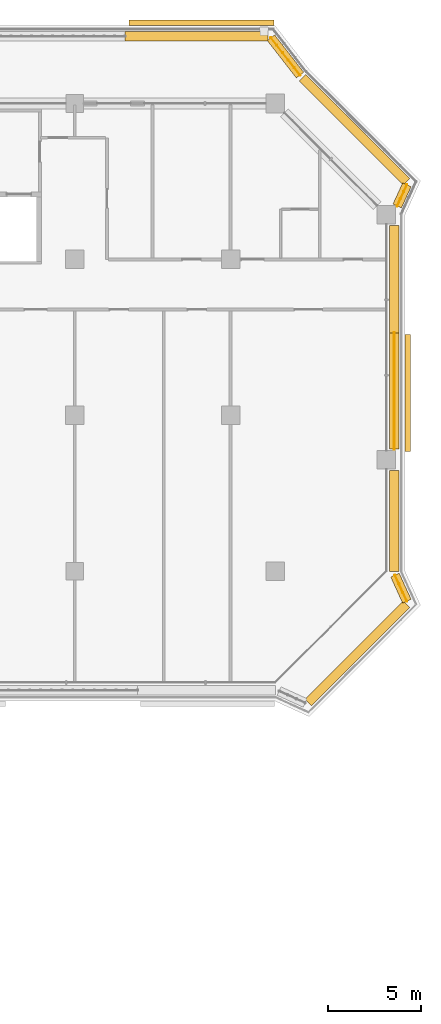
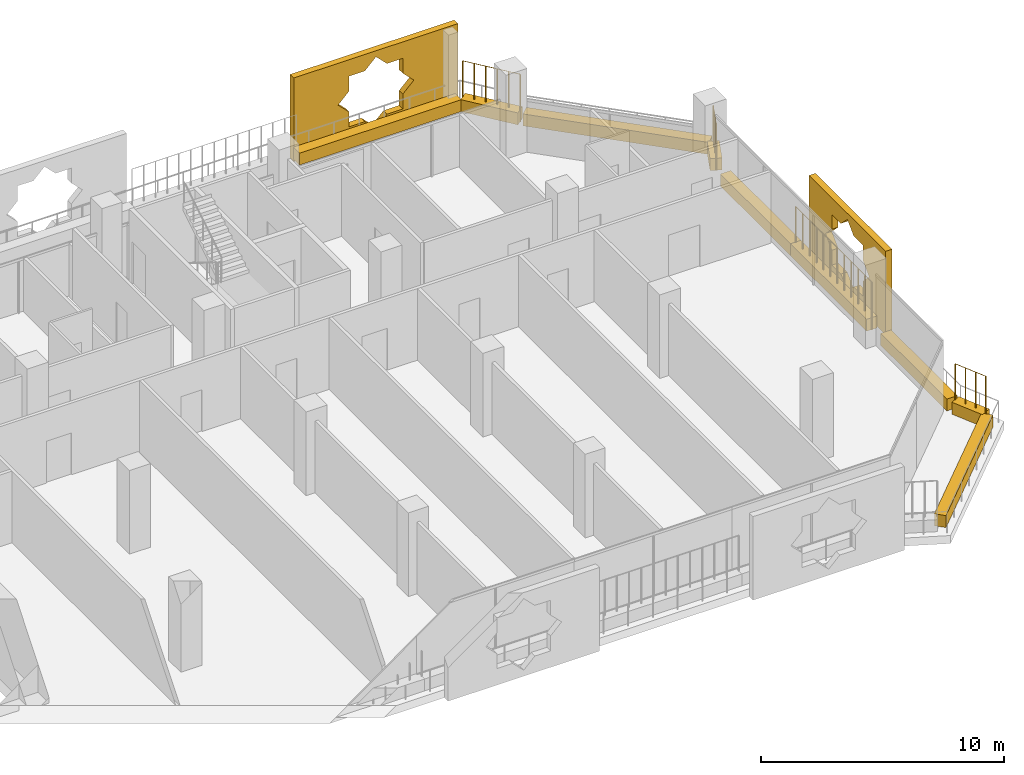
# One storey, part 21 of 21: 11 coverings, 4 railings.
"""IFC4 building model written with IfcOpenShell, lengths in metres."""

from ifc_helpers import new_model, si_unit, direction, frame, origin, origin_2d, place, context, subcontext, project, spatial, polyline, rectangle, circle, outline, extrude, material, material_profile, profile_set, type_object, element, save


model = new_model("IFC4")

# Units and contexts
model_context = context("Model", 3, precision=1e-05, world=origin(), true_north=direction((0.0, 1.0)))
body_context = subcontext(model_context, "Body", "Model", "MODEL_VIEW")
ifc_project = project(units=[si_unit("LENGTHUNIT", "METRE"), si_unit("AREAUNIT", "SQUARE_METRE"), si_unit("VOLUMEUNIT", "CUBIC_METRE"), si_unit("PLANEANGLEUNIT", "RADIAN"), si_unit("MASSUNIT", "GRAM", prefix="KILO")], contexts=[model_context])

# Site, building, storey
site_placement = place(None, origin())
site = spatial("IfcSite", under=ifc_project, at=site_placement, CompositionType="ELEMENT")
building_placement = place(site_placement, origin())
building = spatial("IfcBuilding", under=site, at=building_placement, Name="Kawkab Arch Medical Tower", CompositionType="ELEMENT")
storey_placement = place(building_placement, frame((0.0, 0.0, 200.39990234375)))
storey = spatial("IfcBuildingStorey", under=building, at=storey_placement, Name="L46", CompositionType="ELEMENT", Elevation=200.39990234375)

# Coverings
ifc_material_1 = material(Name="Bronze anodised aluminium mashrabiya panel, eight-point star pattern", Category="aluminium")
ifc_material_profile_1 = material_profile(ifc_material_1, outline(polyline([(-3.14990234375, -2.10009765625), (3.14990234375, -2.10009765625), (3.14990234375, 2.10009765625), (-3.14990234375, 2.10009765625), (-3.14990234375, -2.10009765625)]), holes=[polyline([(1.800048828125, 0.0), (1.272705078125, 0.527099609375), (1.272705078125, 1.272705078125), (0.527099609375, 1.272705078125), (0.0, 1.800048828125), (-0.527099609375, 1.272705078125), (-1.272705078125, 1.272705078125), (-1.272705078125, 0.527099609375), (-1.800048828125, 0.0), (-1.272705078125, -0.527099609375), (-1.272705078125, -1.272705078125), (-0.527099609375, -1.272705078125), (0.0, -1.800048828125), (0.527099609375, -1.272705078125), (1.272705078125, -1.272705078125), (1.272705078125, -0.527099609375), (1.800048828125, 0.0)])]), Name="Mashrabiya panel 6300x4200")
ifc_profile_set_1 = profile_set([ifc_material_profile_1], Name="Bronze anodised aluminium mashrabiya panel, eight-point star pattern")
covering_type_1 = type_object("IfcCoveringType", Name="Mashrabiya panel 6300 x 4200", PredefinedType="USERDEFINED", material=ifc_profile_set_1)
covering_1_placement = place(storey_placement, frame((68.199951171875, -15.60009765625, 1.7001953125), z_axis=(1.0, 0.0, 0.0), x_axis=(0.0, 1.0, 0.0)))
element("IfcCovering", 1, at=covering_1_placement, inside=storey, type_object=covering_type_1, Name="Mashrabiya panel L46.LOG-01-01.9", ObjectType="SCREEN", PredefinedType="USERDEFINED", context=body_context, shape_type="SweptSolid", body=[
    extrude(outline(polyline([(-3.14990234375, -2.10009765625), (3.14990234375, -2.10009765625), (3.14990234375, 2.10009765625), (-3.14990234375, 2.10009765625), (-3.14990234375, -2.10009765625)]), holes=[polyline([(1.800048828125, 0.0), (1.272705078125, 0.527099609375), (1.272705078125, 1.272705078125), (0.527099609375, 1.272705078125), (0.0, 1.800048828125), (-0.527099609375, 1.272705078125), (-1.272705078125, 1.272705078125), (-1.272705078125, 0.527099609375), (-1.800048828125, 0.0), (-1.272705078125, -0.527099609375), (-1.272705078125, -1.272705078125), (-0.527099609375, -1.272705078125), (0.0, -1.800048828125), (0.527099609375, -1.272705078125), (1.272705078125, -1.272705078125), (1.272705078125, -0.527099609375), (1.800048828125, 0.0)])]), origin(), (0.0, 0.0, 1.0), 0.300048828125),
])
ifc_material_2 = material(Name="Bronze anodised aluminium mashrabiya panel, eight-point star pattern", Category="aluminium")
ifc_material_profile_2 = material_profile(ifc_material_2, outline(polyline([(-3.89990234375, -2.10009765625), (3.89990234375, -2.10009765625), (3.89990234375, 2.10009765625), (-3.89990234375, 2.10009765625), (-3.89990234375, -2.10009765625)]), holes=[polyline([(1.800048828125, 0.0), (1.272705078125, 0.527099609375), (1.272705078125, 1.272705078125), (0.527099609375, 1.272705078125), (0.0, 1.800048828125), (-0.527099609375, 1.272705078125), (-1.272705078125, 1.272705078125), (-1.272705078125, 0.527099609375), (-1.800048828125, 0.0), (-1.272705078125, -0.527099609375), (-1.272705078125, -1.272705078125), (-0.527099609375, -1.272705078125), (0.0, -1.800048828125), (0.527099609375, -1.272705078125), (1.272705078125, -1.272705078125), (1.272705078125, -0.527099609375), (1.800048828125, 0.0)])]), Name="Mashrabiya panel 7800x4200")
ifc_profile_set_2 = profile_set([ifc_material_profile_2], Name="Bronze anodised aluminium mashrabiya panel, eight-point star pattern")
covering_type_2 = type_object("IfcCoveringType", Name="Mashrabiya panel 7800 x 4200", PredefinedType="USERDEFINED", material=ifc_profile_set_2)
covering_2_placement = place(storey_placement, frame((57.23291015625, 4.199951171875, 1.7001953125), z_axis=(0.0, 1.0, 0.0), x_axis=(-1.0, 0.0, 0.0)))
element("IfcCovering", 2, at=covering_2_placement, inside=storey, type_object=covering_type_2, Name="Mashrabiya panel L46.LOG-01-01.8", ObjectType="SCREEN", PredefinedType="USERDEFINED", context=body_context, shape_type="SweptSolid", body=[
    extrude(outline(polyline([(-3.89990234375, -2.10009765625), (3.89990234375, -2.10009765625), (3.89990234375, 2.10009765625), (-3.89990234375, 2.10009765625), (-3.89990234375, -2.10009765625)]), holes=[polyline([(1.800048828125, 0.0), (1.272705078125, 0.527099609375), (1.272705078125, 1.272705078125), (0.527099609375, 1.272705078125), (0.0, 1.800048828125), (-0.527099609375, 1.272705078125), (-1.272705078125, 1.272705078125), (-1.272705078125, 0.527099609375), (-1.800048828125, 0.0), (-1.272705078125, -0.527099609375), (-1.272705078125, -1.272705078125), (-0.527099609375, -1.272705078125), (0.0, -1.800048828125), (0.527099609375, -1.272705078125), (1.272705078125, -1.272705078125), (1.272705078125, -0.527099609375), (1.800048828125, 0.0)])]), origin(), (0.0, 0.0, 1.0), 0.300048828125),
])
ifc_material_3 = material(Name="Planting soil in a precast trough", Category="concrete")
ifc_material_profile_3 = material_profile(ifc_material_3, rectangle(XDim=0.5, YDim=0.60009765625, at=origin_2d()), Name="Trough 500x600")
ifc_profile_set_3 = profile_set([ifc_material_profile_3], Name="Planting soil in a precast trough")
covering_type_3 = type_object("IfcCoveringType", Name="Planter trough 500 x 600", PredefinedType="USERDEFINED", material=ifc_profile_set_3)
covering_3_placement = place(storey_placement, frame((53.112060546875, 3.6201171875, 0.300048828125), z_axis=(1.0, 0.0, 0.0), x_axis=(0.0, 1.0, 0.0)))
element("IfcCovering", 3, at=covering_3_placement, inside=storey, type_object=covering_type_3, Name="Planter L46.LOG-01-01.24", ObjectType="PLANTER", PredefinedType="USERDEFINED", context=body_context, shape_type="SweptSolid", body=[
    extrude(rectangle(XDim=0.5, YDim=0.60009765625, at=origin_2d()), origin(), (0.0, 0.0, 1.0), 7.703857421875),
])
covering_4_placement = place(storey_placement, frame((60.97802734375, 3.541015625, 0.300048828125), z_axis=(0.61404021143, -0.789274742246, 0.0), x_axis=(0.789274742246, 0.61404021143, 0.0)))
element("IfcCovering", 4, at=covering_4_placement, inside=storey, type_object=covering_type_3, Name="Planter L46.LOG-01-01.25", ObjectType="PLANTER", PredefinedType="USERDEFINED", context=body_context, shape_type="SweptSolid", body=[
    extrude(rectangle(XDim=0.5, YDim=0.60009765625, at=origin_2d()), origin(), (0.0, 0.0, 1.0), 2.54541015625),
])
covering_5_placement = place(storey_placement, frame((62.673095703125, 1.383056640625, 0.300048828125), z_axis=(0.707091367247, -0.70712219479, 0.0), x_axis=(0.70712219479, 0.707091367247, 0.0)))
element("IfcCovering", 5, at=covering_5_placement, inside=storey, type_object=covering_type_3, Name="Planter L46.LOG-01-01.26", ObjectType="PLANTER", PredefinedType="USERDEFINED", context=body_context, shape_type="SweptSolid", body=[
    extrude(rectangle(XDim=0.5, YDim=0.60009765625, at=origin_2d()), origin(), (0.0, 0.0, 1.0), 7.919677734375),
])
covering_6_placement = place(storey_placement, frame((68.302001953125, -4.37890625, 0.300048828125), z_axis=(-0.415089762627, -0.909780461959, 0.0), x_axis=(0.909780461959, -0.415089762627, 0.0)))
element("IfcCovering", 6, at=covering_6_placement, inside=storey, type_object=covering_type_3, Name="Planter L46.LOG-01-01.27", ObjectType="PLANTER", PredefinedType="USERDEFINED", context=body_context, shape_type="SweptSolid", body=[
    extrude(rectangle(XDim=0.5, YDim=0.60009765625, at=origin_2d()), origin(), (0.0, 0.0, 1.0), 1.257568359375),
])
covering_7_placement = place(storey_placement, frame((67.6201171875, -6.580078125, 0.300048828125), z_axis=(0.0, -1.0, 0.0), x_axis=(1.0, 0.0, 0.0)))
element("IfcCovering", 7, at=covering_7_placement, inside=storey, type_object=covering_type_3, Name="Planter L46.LOG-01-01.28", ObjectType="PLANTER", PredefinedType="USERDEFINED", context=body_context, shape_type="SweptSolid", body=[
    extrude(rectangle(XDim=0.5, YDim=0.60009765625, at=origin_2d()), origin(), (0.0, 0.0, 1.0), 5.77783203125),
])
covering_8_placement = place(storey_placement, frame((67.6201171875, -12.35791015625, 0.300048828125), z_axis=(0.0, -1.0, 0.0), x_axis=(1.0, 0.0, 0.0)))
element("IfcCovering", 8, at=covering_8_placement, inside=storey, type_object=covering_type_3, Name="Planter L46.LOG-01-01.29", ObjectType="PLANTER", PredefinedType="USERDEFINED", context=body_context, shape_type="SweptSolid", body=[
    extrude(rectangle(XDim=0.5, YDim=0.60009765625, at=origin_2d()), origin(), (0.0, 0.0, 1.0), 6.26220703125),
])
covering_9_placement = place(storey_placement, frame((67.6201171875, -19.780029296875, 0.300048828125), z_axis=(0.0, -1.0, 0.0), x_axis=(1.0, 0.0, 0.0)))
element("IfcCovering", 9, at=covering_9_placement, inside=storey, type_object=covering_type_3, Name="Planter L46.LOG-01-01.30", ObjectType="PLANTER", PredefinedType="USERDEFINED", context=body_context, shape_type="SweptSolid", body=[
    extrude(rectangle(XDim=0.5, YDim=0.60009765625, at=origin_2d()), origin(), (0.0, 0.0, 1.0), 5.446044921875),
])
covering_10_placement = place(storey_placement, frame((67.660888671875, -25.4169921875, 0.300048828125), z_axis=(0.415363486165, -0.909655525109, 0.0), x_axis=(0.909655525109, 0.415363486165, 0.0)))
element("IfcCovering", 10, at=covering_10_placement, inside=storey, type_object=covering_type_3, Name="Planter L46.LOG-01-01.31", ObjectType="PLANTER", PredefinedType="USERDEFINED", context=body_context, shape_type="SweptSolid", body=[
    extrude(rectangle(XDim=0.5, YDim=0.60009765625, at=origin_2d()), origin(), (0.0, 0.0, 1.0), 1.54345703125),
])
covering_11_placement = place(storey_placement, frame((68.27294921875, -26.98291015625, 0.300048828125), z_axis=(-0.707106781187, -0.707106781187, 0.0), x_axis=(0.707106781187, -0.707106781187, 0.0)))
element("IfcCovering", 11, at=covering_11_placement, inside=storey, type_object=covering_type_3, Name="Planter L46.LOG-01-01.32", ObjectType="PLANTER", PredefinedType="USERDEFINED", context=body_context, shape_type="SweptSolid", body=[
    extrude(rectangle(XDim=0.5, YDim=0.60009765625, at=origin_2d()), origin(), (0.0, 0.0, 1.0), 7.481201171875),
])

# Railings
ifc_material_4 = material(Name="Bronze anodised aluminium trellis for climbing plants", Category="aluminium")
railing_type = type_object("IfcRailingType", Name="Planting trellis 2400", PredefinedType="USERDEFINED", material=ifc_material_4)
railing_1_placement = place(storey_placement, frame((60.97802734375, 3.541015625, 0.0)))
element("IfcRailing", 12, at=railing_1_placement, inside=storey, type_object=railing_type, Name="Planting trellis L46.LOG-01-01.25", ObjectType="TRELLIS", PredefinedType="USERDEFINED", context=body_context, shape_type="SweptSolid", body=[
    extrude(circle(Radius=0.01513671875, at=origin_2d()), frame((0.0, 0.0, 2.384765625), z_axis=(0.61404021143, -0.789274742246, 0.0), x_axis=(0.789274742246, 0.61404021143, 0.0)), (0.0, 0.0, 1.0), 2.54541015625),
    extrude(circle(Radius=0.030029296875, at=origin_2d()), origin(), (0.0, 0.0, 1.0), 2.369873046875),
    extrude(circle(Radius=0.030029296875, at=origin_2d()), frame((0.3125, -0.40185546875, 0.0)), (0.0, 0.0, 1.0), 2.369873046875),
    extrude(circle(Radius=0.030029296875, at=origin_2d()), frame((0.625244140625, -0.8037109375, 0.0)), (0.0, 0.0, 1.0), 2.369873046875),
    extrude(circle(Radius=0.030029296875, at=origin_2d()), frame((0.937744140625, -1.205322265625, 0.0)), (0.0, 0.0, 1.0), 2.369873046875),
    extrude(circle(Radius=0.030029296875, at=origin_2d()), frame((1.25048828125, -1.607177734375, 0.0)), (0.0, 0.0, 1.0), 2.369873046875),
    extrude(circle(Radius=0.030029296875, at=origin_2d()), frame((1.56298828125, -2.009033203125, 0.0)), (0.0, 0.0, 1.0), 2.369873046875),
])
railing_2_placement = place(storey_placement, frame((68.302001953125, -4.37890625, 0.0)))
element("IfcRailing", 13, at=railing_2_placement, inside=storey, type_object=railing_type, Name="Planting trellis L46.LOG-01-01.27", ObjectType="TRELLIS", PredefinedType="USERDEFINED", context=body_context, shape_type="SweptSolid", body=[
    extrude(circle(Radius=0.01513671875, at=origin_2d()), frame((0.0, 0.0, 2.384765625), z_axis=(-0.415089762627, -0.909780461959, 0.0), x_axis=(0.909780461959, -0.415089762627, 0.0)), (0.0, 0.0, 1.0), 1.257568359375),
    extrude(circle(Radius=0.030029296875, at=origin_2d()), origin(), (0.0, 0.0, 1.0), 2.369873046875),
    extrude(circle(Radius=0.030029296875, at=origin_2d()), frame((-0.174072265625, -0.38134765625, 0.0)), (0.0, 0.0, 1.0), 2.369873046875),
    extrude(circle(Radius=0.030029296875, at=origin_2d()), frame((-0.347900390625, -0.7626953125, 0.0)), (0.0, 0.0, 1.0), 2.369873046875),
    extrude(circle(Radius=0.030029296875, at=origin_2d()), frame((-0.52197265625, -1.14404296875, 0.0)), (0.0, 0.0, 1.0), 2.369873046875),
])
railing_3_placement = place(storey_placement, frame((67.6201171875, -12.35791015625, 0.0)))
element("IfcRailing", 14, at=railing_3_placement, inside=storey, type_object=railing_type, Name="Planting trellis L46.LOG-01-01.29", ObjectType="TRELLIS", PredefinedType="USERDEFINED", context=body_context, shape_type="SweptSolid", body=[
    extrude(circle(Radius=0.01513671875, at=origin_2d()), frame((0.0, 0.0, 2.384765625), z_axis=(0.0, -1.0, 0.0), x_axis=(1.0, 0.0, 0.0)), (0.0, 0.0, 1.0), 6.26220703125),
    extrude(circle(Radius=0.030029296875, at=origin_2d()), origin(), (0.0, 0.0, 1.0), 2.369873046875),
    extrude(circle(Radius=0.030029296875, at=origin_2d()), frame((0.0, -0.5693359375, 0.0)), (0.0, 0.0, 1.0), 2.369873046875),
    extrude(circle(Radius=0.030029296875, at=origin_2d()), frame((0.0, -1.138671875, 0.0)), (0.0, 0.0, 1.0), 2.369873046875),
    extrude(circle(Radius=0.030029296875, at=origin_2d()), frame((0.0, -1.707763671875, 0.0)), (0.0, 0.0, 1.0), 2.369873046875),
    extrude(circle(Radius=0.030029296875, at=origin_2d()), frame((0.0, -2.277099609375, 0.0)), (0.0, 0.0, 1.0), 2.369873046875),
    extrude(circle(Radius=0.030029296875, at=origin_2d()), frame((0.0, -2.846435546875, 0.0)), (0.0, 0.0, 1.0), 2.369873046875),
    extrude(circle(Radius=0.030029296875, at=origin_2d()), frame((0.0, -3.415771484375, 0.0)), (0.0, 0.0, 1.0), 2.369873046875),
    extrude(circle(Radius=0.030029296875, at=origin_2d()), frame((0.0, -3.985107421875, 0.0)), (0.0, 0.0, 1.0), 2.369873046875),
    extrude(circle(Radius=0.030029296875, at=origin_2d()), frame((0.0, -4.554443359375, 0.0)), (0.0, 0.0, 1.0), 2.369873046875),
    extrude(circle(Radius=0.030029296875, at=origin_2d()), frame((0.0, -5.12353515625, 0.0)), (0.0, 0.0, 1.0), 2.369873046875),
    extrude(circle(Radius=0.030029296875, at=origin_2d()), frame((0.0, -5.69287109375, 0.0)), (0.0, 0.0, 1.0), 2.369873046875),
    extrude(circle(Radius=0.030029296875, at=origin_2d()), frame((0.0, -6.26220703125, 0.0)), (0.0, 0.0, 1.0), 2.369873046875),
])
railing_4_placement = place(storey_placement, frame((67.660888671875, -25.4169921875, 0.0)))
element("IfcRailing", 15, at=railing_4_placement, inside=storey, type_object=railing_type, Name="Planting trellis L46.LOG-01-01.31", ObjectType="TRELLIS", PredefinedType="USERDEFINED", context=body_context, shape_type="SweptSolid", body=[
    extrude(circle(Radius=0.01513671875, at=origin_2d()), frame((0.0, 0.0, 2.384765625), z_axis=(0.415363486165, -0.909655525109, 0.0), x_axis=(0.909655525109, 0.415363486165, 0.0)), (0.0, 0.0, 1.0), 1.54345703125),
    extrude(circle(Radius=0.030029296875, at=origin_2d()), origin(), (0.0, 0.0, 1.0), 2.369873046875),
    extrude(circle(Radius=0.030029296875, at=origin_2d()), frame((0.213623046875, -0.468017578125, 0.0)), (0.0, 0.0, 1.0), 2.369873046875),
    extrude(circle(Radius=0.030029296875, at=origin_2d()), frame((0.427490234375, -0.93603515625, 0.0)), (0.0, 0.0, 1.0), 2.369873046875),
    extrude(circle(Radius=0.030029296875, at=origin_2d()), frame((0.64111328125, -1.404052734375, 0.0)), (0.0, 0.0, 1.0), 2.369873046875),
])

save(model, "model.ifc")
